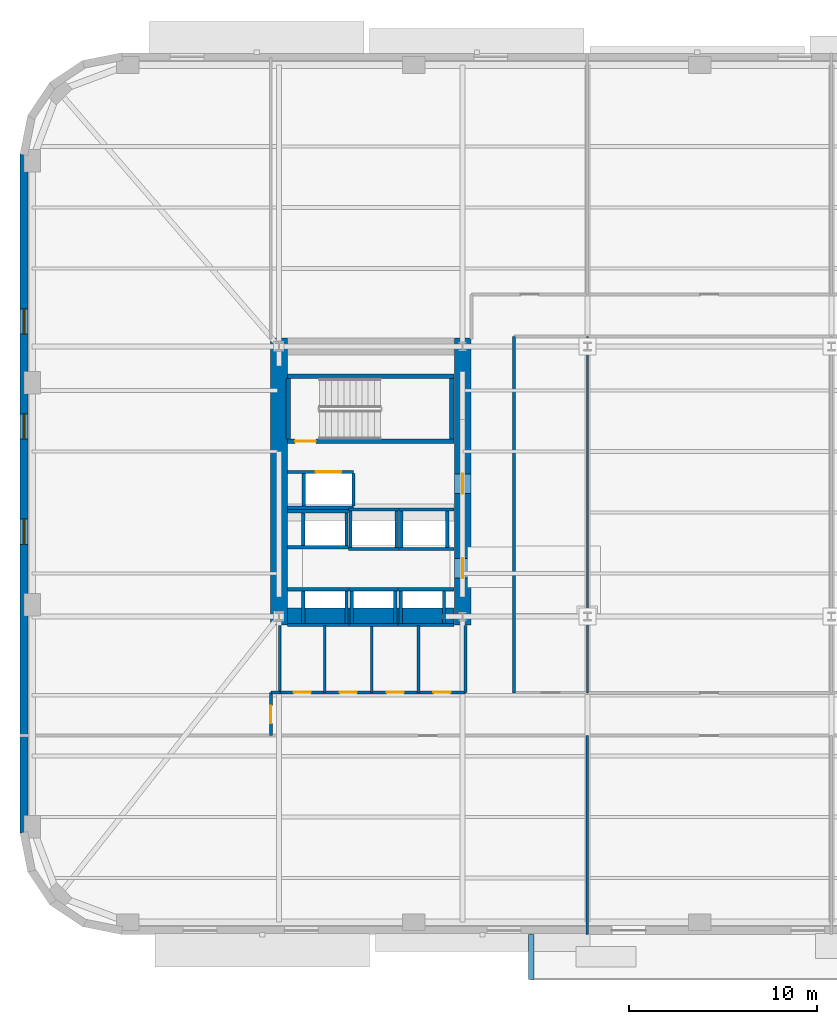
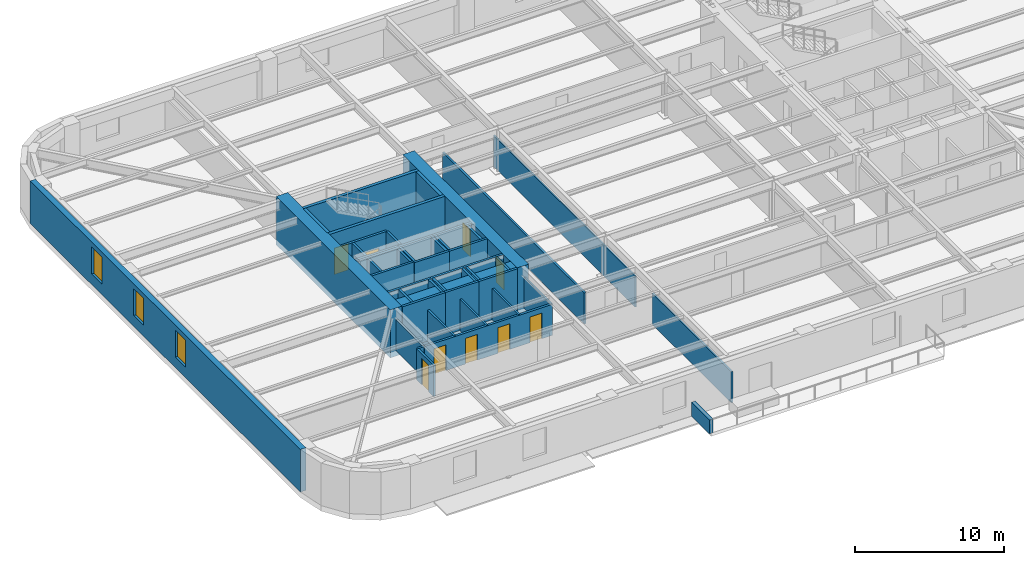
# One storey, part 4 of 15: 48 walls, 9 doors, 3 windows, 12 openings.
"""IFC4 building model written with IfcOpenShell, lengths in metres."""

from ifc_helpers import new_model, si_unit, direction, frame, frame_2d, origin, place, context, subcontext, project, spatial, rectangle, extrude, material, layer, layer_set, type_object, element, fill, save


model = new_model("IFC4")

# Units and contexts
model_context = context("Model", 3, precision=1e-05, world=origin(), true_north=direction((0.0, 1.0)))
body_context = subcontext(model_context, "Body", "Model", "MODEL_VIEW")
ifc_project = project(units=[si_unit("LENGTHUNIT", "METRE"), si_unit("AREAUNIT", "SQUARE_METRE"), si_unit("VOLUMEUNIT", "CUBIC_METRE"), si_unit("PLANEANGLEUNIT", "RADIAN"), si_unit("MASSUNIT", "GRAM", prefix="KILO")], contexts=[model_context])

# Site, building, storey
site_placement = place(None, origin())
site = spatial("IfcSite", under=ifc_project, at=site_placement, CompositionType="ELEMENT")
building_placement = place(site_placement, origin())
building = spatial("IfcBuilding", under=site, at=building_placement, Name="Kolvaren Arena Tower", CompositionType="ELEMENT")
storey_placement = place(building_placement, frame((0.0, 0.0, 42.0)))
storey = spatial("IfcBuildingStorey", under=building, at=storey_placement, Name="L07", CompositionType="ELEMENT", Elevation=42.0)

# Wall
ifc_material_1 = material(Name="Gypsum board acoustic assembly", Category="gypsum")
ifc_layer_1 = layer(ifc_material_1, 0.159912109375)
ifc_layer_set_1 = layer_set([ifc_layer_1], Name="Gypsum board acoustic assembly")
wall_type_1 = type_object("IfcWallType", Name="CORR-160", PredefinedType="PARTITIONING", material=ifc_layer_set_1)
wall_1_placement = place(storey_placement, frame((27.080078125, 15.3798828125, 0.0), z_axis=(0.0, 0.0, 1.0), x_axis=(0.0, 1.0, 0.0)))
element("IfcWall", 1, at=wall_1_placement, inside=storey, type_object=wall_type_1, Name="Interior Partition Wall (L07)", PredefinedType="PARTITIONING", context=body_context, shape_type="SweptSolid", body=[
    extrude(rectangle(XDim=19.0, YDim=0.159912109375, at=frame_2d((9.5, 0.0))), origin(), (0.0, 0.0, 1.0), 2.5400390625),
])

# Wall, opening, door
wall_2_placement = place(storey_placement, frame((14.1201171875, 13.10009765625, 0.0), z_axis=(0.0, 0.0, 1.0), x_axis=(0.0, 1.0, 0.0)))
wall_2 = element("IfcWall", 2, at=wall_2_placement, inside=storey, type_object=wall_type_1, Name="Interior Partition Wall (L07)", PredefinedType="PARTITIONING", context=body_context, shape_type="SweptSolid", body=[
    extrude(rectangle(XDim=2.2998046875, YDim=0.159912109375, at=frame_2d((1.14990234375, 0.0))), origin(), (0.0, 0.0, 1.0), 2.5400390625),
])
opening_1_placement = place(wall_2_placement, frame((0.64990234375, 0.0, 0.0)))
opening_1 = element("IfcOpeningElement", 3, at=opening_1_placement, cuts=wall_2, Name="Opening D05", PredefinedType="OPENING", context=body_context, shape_type="SweptSolid", body=[
    extrude(rectangle(XDim=0.949951171875, YDim=2.14990234375, at=frame_2d((0.47509765625, 1.074951171875))), frame((0.0, 0.08984375, 0.0), z_axis=(0.0, -1.0, 0.0), x_axis=(1.0, 0.0, 0.0)), (0.0, 0.0, 1.0), 0.179931640625),
])
ifc_material_2 = material(Name="Solid-core oak acoustic office door", Category="wood")
door_type_1 = type_object("IfcDoorType", Name="DOOR-OF-095", OperationType="NOTDEFINED", PredefinedType="DOOR", material=ifc_material_2)
door_1_placement = place(opening_1_placement, origin())
door_1 = element("IfcDoor", 4, at=door_1_placement, inside=storey, type_object=door_type_1, Name="West Wing Office Door (L07)", OperationType="SINGLE_SWING_LEFT", OverallHeight=2.14990234375, OverallWidth=0.949951171875, PredefinedType="DOOR", context=body_context, shape_type="SweptSolid", body=[
    extrude(rectangle(XDim=0.949951171875, YDim=2.14990234375, at=frame_2d((0.47509765625, 1.074951171875))), frame((0.0, 0.02490234375, 0.0), z_axis=(0.0, -1.0, 0.0), x_axis=(1.0, 0.0, 0.0)), (0.0, 0.0, 1.0), 0.050048828125),
])
fill(opening_1, door_1)

# Walls
wall_3_placement = place(storey_placement, frame((14.1201171875, 15.39990234375, 0.0), z_axis=(0.0, 0.0, 1.0), x_axis=(1.0, 0.0, 0.0)))
element("IfcWall", 5, at=wall_3_placement, inside=storey, type_object=wall_type_1, Name="Interior Partition Wall (L07)", PredefinedType="PARTITIONING", context=body_context, shape_type="SweptSolid", body=[
    extrude(rectangle(XDim=0.5, YDim=0.159912109375, at=frame_2d((0.25, 0.0))), origin(), (0.0, 0.0, 1.0), 2.5400390625),
])
ifc_material_3 = material(Name="Concrete 80 MPa", Category="concrete")
ifc_layer_2 = layer(ifc_material_3, 0.89990234375)
ifc_layer_set_2 = layer_set([ifc_layer_2], Name="Concrete 80 MPa")
wall_type_2 = type_object("IfcWallType", Name="CWALL-900", PredefinedType="SHEAR", material=ifc_layer_set_2)
wall_4_placement = place(storey_placement, frame((14.550048828125, 19.0, -0.449951171875), z_axis=(0.0, 0.0, 1.0), x_axis=(0.0, 1.0, 0.0)))
element("IfcWall", 6, at=wall_4_placement, inside=storey, type_object=wall_type_2, Name="Core Shear Wall WC-WEST (L07)", PredefinedType="SHEAR", context=body_context, shape_type="SweptSolid", body=[
    extrude(rectangle(XDim=15.300048828125, YDim=0.89990234375, at=frame_2d((7.64990234375, 0.0))), origin(), (0.0, 0.0, 1.0), 3.929931640625),
])

# Wall, openings, doors
wall_5_placement = place(storey_placement, frame((24.35009765625, 19.0, -0.449951171875), z_axis=(0.0, 0.0, 1.0), x_axis=(0.0, 1.0, 0.0)))
wall_5 = element("IfcWall", 7, at=wall_5_placement, inside=storey, type_object=wall_type_2, Name="Core Shear Wall WC-EAST (L07)", PredefinedType="SHEAR", context=body_context, shape_type="SweptSolid", body=[
    extrude(rectangle(XDim=15.300048828125, YDim=0.89990234375, at=frame_2d((7.64990234375, 0.0))), origin(), (0.0, 0.0, 1.0), 3.929931640625),
])
opening_2_placement = place(wall_5_placement, frame((2.5, 0.0, 0.449951171875)))
opening_2 = element("IfcOpeningElement", 8, at=opening_2_placement, cuts=wall_5, Name="Opening D04", PredefinedType="OPENING", context=body_context, shape_type="SweptSolid", body=[
    extrude(rectangle(XDim=1.050048828125, YDim=2.14990234375, at=frame_2d((0.52490234375, 1.074951171875))), frame((0.0, 0.4599609375, 0.0), z_axis=(0.0, -1.0, 0.0), x_axis=(1.0, 0.0, 0.0)), (0.0, 0.0, 1.0), 0.919921875),
])
opening_3_placement = place(wall_5_placement, frame((7.0, 0.0, 0.449951171875)))
opening_3 = element("IfcOpeningElement", 9, at=opening_3_placement, cuts=wall_5, Name="Opening D04", PredefinedType="OPENING", context=body_context, shape_type="SweptSolid", body=[
    extrude(rectangle(XDim=1.050048828125, YDim=2.14990234375, at=frame_2d((0.52490234375, 1.074951171875))), frame((0.0, 0.4599609375, 0.0), z_axis=(0.0, -1.0, 0.0), x_axis=(1.0, 0.0, 0.0)), (0.0, 0.0, 1.0), 0.919921875),
])
ifc_material_4 = material(Name="Fire-rated steel lobby door", Category="steel")
door_type_2 = type_object("IfcDoorType", Name="DOOR-FF-105", OperationType="NOTDEFINED", PredefinedType="DOOR", material=ifc_material_4)
door_2_placement = place(opening_2_placement, origin())
door_2 = element("IfcDoor", 10, at=door_2_placement, inside=storey, type_object=door_type_2, Name="West Lift Lobby Fire Door (L07)", OperationType="SINGLE_SWING_LEFT", OverallHeight=2.14990234375, OverallWidth=1.050048828125, PredefinedType="DOOR", context=body_context, shape_type="SweptSolid", body=[
    extrude(rectangle(XDim=1.050048828125, YDim=2.14990234375, at=frame_2d((0.52490234375, 1.074951171875))), frame((0.0, 0.02490234375, 0.0), z_axis=(0.0, -1.0, 0.0), x_axis=(1.0, 0.0, 0.0)), (0.0, 0.0, 1.0), 0.050048828125),
])
fill(opening_2, door_2)
door_3_placement = place(opening_3_placement, origin())
door_3 = element("IfcDoor", 11, at=door_3_placement, inside=storey, type_object=door_type_2, Name="West Firefighter Vestibule Door (L07)", OperationType="SINGLE_SWING_RIGHT", OverallHeight=2.14990234375, OverallWidth=1.050048828125, PredefinedType="DOOR", context=body_context, shape_type="SweptSolid", body=[
    extrude(rectangle(XDim=1.050048828125, YDim=2.14990234375, at=frame_2d((0.52490234375, 1.074951171875))), frame((0.0, 0.02490234375, 0.0), z_axis=(0.0, -1.0, 0.0), x_axis=(1.0, 0.0, 0.0)), (0.0, 0.0, 1.0), 0.050048828125),
])
fill(opening_3, door_3)

# Wall
wall_6_placement = place(storey_placement, frame((15.0, 19.449951171875, -0.449951171875), z_axis=(0.0, 0.0, 1.0), x_axis=(1.0, 0.0, 0.0)))
element("IfcWall", 12, at=wall_6_placement, inside=storey, type_object=wall_type_2, Name="Core Shear Wall WC-SOUTH (L07)", PredefinedType="SHEAR", context=body_context, shape_type="SweptSolid", body=[
    extrude(rectangle(XDim=8.89990234375, YDim=0.89990234375, at=frame_2d((4.449951171875, 0.0))), origin(), (0.0, 0.0, 1.0), 3.929931640625),
])

# Wall, openings, windows
ifc_material_5 = material(Name="Precast concrete C50/60", Category="concrete")
ifc_layer_3 = layer(ifc_material_5, 0.419921875)
ifc_layer_set_3 = layer_set([ifc_layer_3], Name="Precast concrete C50/60")
wall_type_3 = type_object("IfcWallType", Name="EXT-PIER1", PredefinedType="SOLIDWALL", material=ifc_layer_set_3)
wall_7_placement = place(storey_placement, frame((0.9599609375, 7.89990234375, 0.0), z_axis=(0.0, 0.0, 1.0), x_axis=(0.0, 1.0, 0.0)))
wall_7 = element("IfcWall", 13, at=wall_7_placement, inside=storey, type_object=wall_type_3, Name="Exterior Precast Masonry-Frame Wall (L07)", PredefinedType="SOLIDWALL", context=body_context, shape_type="SweptSolid", body=[
    extrude(rectangle(XDim=36.2001953125, YDim=0.419921875, at=frame_2d((18.10009765625, 0.0))), origin(), (0.0, 0.0, 1.0), 3.47998046875),
])
opening_4_placement = place(wall_7_placement, frame((15.39990234375, 0.0, 0.8798828125)))
opening_4 = element("IfcOpeningElement", 14, at=opening_4_placement, cuts=wall_7, Name="Opening W04", PredefinedType="OPENING", context=body_context, shape_type="SweptSolid", body=[
    extrude(rectangle(XDim=1.35009765625, YDim=2.199951171875, at=frame_2d((0.675048828125, 1.10009765625))), frame((0.0, 0.219970703125, 0.0), z_axis=(0.0, -1.0, 0.0), x_axis=(1.0, 0.0, 0.0)), (0.0, 0.0, 1.0), 0.43994140625),
])
opening_5_placement = place(wall_7_placement, frame((21.0, 0.0, 0.8798828125)))
opening_5 = element("IfcOpeningElement", 15, at=opening_5_placement, cuts=wall_7, Name="Opening W04", PredefinedType="OPENING", context=body_context, shape_type="SweptSolid", body=[
    extrude(rectangle(XDim=1.35009765625, YDim=2.199951171875, at=frame_2d((0.675048828125, 1.10009765625))), frame((0.0, 0.219970703125, 0.0), z_axis=(0.0, -1.0, 0.0), x_axis=(1.0, 0.0, 0.0)), (0.0, 0.0, 1.0), 0.43994140625),
])
opening_6_placement = place(wall_7_placement, frame((26.60009765625, 0.0, 0.8798828125)))
opening_6 = element("IfcOpeningElement", 16, at=opening_6_placement, cuts=wall_7, Name="Opening W04", PredefinedType="OPENING", context=body_context, shape_type="SweptSolid", body=[
    extrude(rectangle(XDim=1.35009765625, YDim=2.199951171875, at=frame_2d((0.675048828125, 1.10009765625))), frame((0.0, 0.219970703125, 0.0), z_axis=(0.0, -1.0, 0.0), x_axis=(1.0, 0.0, 0.0)), (0.0, 0.0, 1.0), 0.43994140625),
])
ifc_material_6 = material(Name="Triple-glazed curved-facet corner window", Category="glass")
window_type = type_object("IfcWindowType", Name="WIN-CRN-A", PartitioningType="SINGLE_PANEL", PredefinedType="WINDOW", material=ifc_material_6)
window_1_placement = place(opening_4_placement, origin())
window_1 = element("IfcWindow", 17, at=window_1_placement, inside=storey, type_object=window_type, Name="End-Wall Punched Window (L07)", OverallHeight=2.199951171875, OverallWidth=1.35009765625, PartitioningType="SINGLE_PANEL", PredefinedType="WINDOW", context=body_context, shape_type="SweptSolid", body=[
    extrude(rectangle(XDim=1.35009765625, YDim=2.199951171875, at=frame_2d((0.675048828125, 1.10009765625))), frame((0.0, 0.030029296875, 0.0), z_axis=(0.0, -1.0, 0.0), x_axis=(1.0, 0.0, 0.0)), (0.0, 0.0, 1.0), 0.06005859375),
])
fill(opening_4, window_1)
window_2_placement = place(opening_5_placement, origin())
window_2 = element("IfcWindow", 18, at=window_2_placement, inside=storey, type_object=window_type, Name="End-Wall Punched Window (L07)", OverallHeight=2.199951171875, OverallWidth=1.35009765625, PartitioningType="SINGLE_PANEL", PredefinedType="WINDOW", context=body_context, shape_type="SweptSolid", body=[
    extrude(rectangle(XDim=1.35009765625, YDim=2.199951171875, at=frame_2d((0.675048828125, 1.10009765625))), frame((0.0, 0.030029296875, 0.0), z_axis=(0.0, -1.0, 0.0), x_axis=(1.0, 0.0, 0.0)), (0.0, 0.0, 1.0), 0.06005859375),
])
fill(opening_5, window_2)
window_3_placement = place(opening_6_placement, origin())
window_3 = element("IfcWindow", 19, at=window_3_placement, inside=storey, type_object=window_type, Name="End-Wall Punched Window (L07)", OverallHeight=2.199951171875, OverallWidth=1.35009765625, PartitioningType="SINGLE_PANEL", PredefinedType="WINDOW", context=body_context, shape_type="SweptSolid", body=[
    extrude(rectangle(XDim=1.35009765625, YDim=2.199951171875, at=frame_2d((0.675048828125, 1.10009765625))), frame((0.0, 0.030029296875, 0.0), z_axis=(0.0, -1.0, 0.0), x_axis=(1.0, 0.0, 0.0)), (0.0, 0.0, 1.0), 0.06005859375),
])
fill(opening_6, window_3)

# Walls
ifc_material_7 = material(Name="Precast concrete C45/55", Category="concrete")
ifc_layer_4 = layer(ifc_material_7, 0.300048828125)
ifc_layer_set_4 = layer_set([ifc_layer_4], Name="Precast concrete C45/55")
wall_type_4 = type_object("IfcWallType", Name="PARAP-300", PredefinedType="PARAPET", material=ifc_layer_set_4)
wall_8_placement = place(storey_placement, frame((28.0, 2.5, 0.0), z_axis=(0.0, 0.0, 1.0), x_axis=(0.0, -1.0, 0.0)))
element("IfcWall", 20, at=wall_8_placement, inside=storey, type_object=wall_type_4, Name="Terrace Side Parapet Wall (L07)", PredefinedType="PARAPET", context=body_context, shape_type="SweptSolid", body=[
    extrude(rectangle(XDim=2.39990234375, YDim=0.300048828125, at=frame_2d((1.199951171875, 0.0))), origin(), (0.0, 0.0, 1.0), 1.1201171875),
])
ifc_material_8 = material(Name="Gypsum board partition assembly", Category="gypsum")
ifc_layer_5 = layer(ifc_material_8, 0.114990234375)
ifc_layer_set_5 = layer_set([ifc_layer_5], Name="Gypsum board partition assembly")
wall_type_5 = type_object("IfcWallType", Name="PART-115", PredefinedType="PARTITIONING", material=ifc_layer_set_5)
wall_9_placement = place(storey_placement, frame((31.0, 15.3798828125, 0.0), z_axis=(0.0, 0.0, 1.0), x_axis=(0.0, 1.0, 0.0)))
element("IfcWall", 21, at=wall_9_placement, inside=storey, type_object=wall_type_5, Name="Interior Partition Wall (L07)", PredefinedType="PARTITIONING", context=body_context, shape_type="SweptSolid", body=[
    extrude(rectangle(XDim=19.0, YDim=0.114990234375, at=frame_2d((9.5, 0.0))), origin(), (0.0, 0.0, 1.0), 2.5400390625),
])
ifc_layer_6 = layer(ifc_material_8, 0.135009765625)
ifc_layer_set_6 = layer_set([ifc_layer_6], Name="Gypsum board partition assembly")
wall_type_6 = type_object("IfcWallType", Name="PART-135", PredefinedType="PARTITIONING", material=ifc_layer_set_6)
wall_10_placement = place(storey_placement, frame((31.0, 2.5, 0.0), z_axis=(0.0, 0.0, 1.0), x_axis=(0.0, 1.0, 0.0)))
element("IfcWall", 22, at=wall_10_placement, inside=storey, type_object=wall_type_6, Name="Interior Partition Wall (L07)", PredefinedType="PARTITIONING", context=body_context, shape_type="SweptSolid", body=[
    extrude(rectangle(XDim=10.60009765625, YDim=0.135009765625, at=frame_2d((5.300048828125, 0.0))), origin(), (0.0, 0.0, 1.0), 2.5400390625),
])

# Wall, opening, door
ifc_material_9 = material(Name="Concrete 45 MPa", Category="concrete")
ifc_layer_7 = layer(ifc_material_9, 0.25)
ifc_layer_set_7 = layer_set([ifc_layer_7], Name="Concrete 45 MPa")
wall_type_7 = type_object("IfcWallType", Name="SHAFT-250", PredefinedType="SOLIDWALL", material=ifc_layer_set_7)
wall_11_placement = place(storey_placement, frame((23.89990234375, 28.780029296875, 0.0), z_axis=(0.0, 0.0, 1.0), x_axis=(-1.0, 0.0, 0.0)))
wall_11 = element("IfcWall", 23, at=wall_11_placement, inside=storey, type_object=wall_type_7, Name="Core Shaft Wall (L07)", PredefinedType="SOLIDWALL", context=body_context, shape_type="SweptSolid", body=[
    extrude(rectangle(XDim=8.89990234375, YDim=0.239990234375, at=frame_2d((4.449951171875, 0.0))), origin(), (0.0, 0.0, 1.0), 3.47998046875),
])
opening_7_placement = place(wall_11_placement, frame((7.3798828125, 0.0, 0.0)))
opening_7 = element("IfcOpeningElement", 24, at=opening_7_placement, cuts=wall_11, Name="Opening D03", PredefinedType="OPENING", context=body_context, shape_type="SweptSolid", body=[
    extrude(rectangle(XDim=1.10009765625, YDim=2.14990234375, at=frame_2d((0.550048828125, 1.074951171875))), frame((0.0, 0.1298828125, 0.0), z_axis=(0.0, -1.0, 0.0), x_axis=(1.0, 0.0, 0.0)), (0.0, 0.0, 1.0), 0.260009765625),
])
ifc_material_10 = material(Name="Fire-rated steel exit stair door", Category="steel")
door_type_3 = type_object("IfcDoorType", Name="DOOR-ST-110", OperationType="NOTDEFINED", PredefinedType="DOOR", material=ifc_material_10)
door_4_placement = place(opening_7_placement, origin())
door_4 = element("IfcDoor", 25, at=door_4_placement, inside=storey, type_object=door_type_3, Name="Stair ST-W1 Fire Door (L07)", OperationType="SINGLE_SWING_RIGHT", OverallHeight=2.14990234375, OverallWidth=1.10009765625, PredefinedType="DOOR", context=body_context, shape_type="SweptSolid", body=[
    extrude(rectangle(XDim=1.10009765625, YDim=2.14990234375, at=frame_2d((0.550048828125, 1.074951171875))), frame((0.0, 0.02490234375, 0.0), z_axis=(0.0, -1.0, 0.0), x_axis=(1.0, 0.0, 0.0)), (0.0, 0.0, 1.0), 0.050048828125),
])
fill(opening_7, door_4)

# Walls
wall_12_placement = place(storey_placement, frame((15.0, 32.25, 0.0), z_axis=(0.0, 0.0, 1.0), x_axis=(1.0, 0.0, 0.0)))
element("IfcWall", 26, at=wall_12_placement, inside=storey, type_object=wall_type_7, Name="Core Shaft Wall (L07)", PredefinedType="SOLIDWALL", context=body_context, shape_type="SweptSolid", body=[
    extrude(rectangle(XDim=8.89990234375, YDim=0.239990234375, at=frame_2d((4.449951171875, 0.0))), origin(), (0.0, 0.0, 1.0), 3.47998046875),
])
for number, where, z_axis, x_axis, name in (
    (27, (15.06005859375, 28.89990234375, 0.0), (0.0, 0.0, 1.0), (0.0, 1.0, 0.0), "Core Shaft Wall (L07)"),
    (28, (23.780029296875, 28.89990234375, 0.0), (0.0, 0.0, 1.0), (0.0, 1.0, 0.0), "Core Shaft Wall (L07)"),
):
    element("IfcWall", number, at=place(storey_placement, frame(where, z_axis=z_axis, x_axis=x_axis)), inside=storey, type_object=wall_type_7, Name=name, PredefinedType="SOLIDWALL", context=body_context, shape_type="SweptSolid", body=[
        extrude(rectangle(XDim=3.22998046875, YDim=0.239990234375, at=frame_2d((1.614990234375, 0.0))), origin(), (0.0, 0.0, 1.0), 3.47998046875),
    ])
for number, where, z_axis, x_axis, name in (
    (29, (15.0, 20.905029296875, 0.0), (0.0, 0.0, 1.0), (1.0, 0.0, 0.0), "Core Shaft Wall (L07)"),
    (30, (15.0, 18.9951171875, 0.0), (0.0, 0.0, 1.0), (1.0, 0.0, 0.0), "Core Shaft Wall (L07)"),
):
    element("IfcWall", number, at=place(storey_placement, frame(where, z_axis=z_axis, x_axis=x_axis)), inside=storey, type_object=wall_type_7, Name=name, PredefinedType="SOLIDWALL", context=body_context, shape_type="SweptSolid", body=[
        extrude(rectangle(XDim=3.300048828125, YDim=0.179931640625, at=frame_2d((1.64990234375, 0.0))), origin(), (0.0, 0.0, 1.0), 3.47998046875),
    ])
for number, where, z_axis, x_axis, name in (
    (31, (15.844970703125, 19.0849609375, 0.0), (0.0, 0.0, 1.0), (0.0, 1.0, 0.0), "Core Shaft Wall (L07)"),
    (32, (18.155029296875, 19.0849609375, 0.0), (0.0, 0.0, 1.0), (0.0, 1.0, 0.0), "Core Shaft Wall (L07)"),
):
    element("IfcWall", number, at=place(storey_placement, frame(where, z_axis=z_axis, x_axis=x_axis)), inside=storey, type_object=wall_type_7, Name=name, PredefinedType="SOLIDWALL", context=body_context, shape_type="SweptSolid", body=[
        extrude(rectangle(XDim=1.72998046875, YDim=0.179931640625, at=frame_2d((0.864990234375, 0.0))), origin(), (0.0, 0.0, 1.0), 3.47998046875),
    ])
for number, where, z_axis, x_axis, name in (
    (33, (18.300048828125, 20.905029296875, 0.0), (0.0, 0.0, 1.0), (1.0, 0.0, 0.0), "Core Shaft Wall (L07)"),
    (34, (18.300048828125, 18.9951171875, 0.0), (0.0, 0.0, 1.0), (1.0, 0.0, 0.0), "Core Shaft Wall (L07)"),
):
    element("IfcWall", number, at=place(storey_placement, frame(where, z_axis=z_axis, x_axis=x_axis)), inside=storey, type_object=wall_type_7, Name=name, PredefinedType="SOLIDWALL", context=body_context, shape_type="SweptSolid", body=[
        extrude(rectangle(XDim=2.599853515625, YDim=0.179931640625, at=frame_2d((1.2998046875, 0.0))), origin(), (0.0, 0.0, 1.0), 3.47998046875),
    ])
for number, where, z_axis, x_axis, name in (
    (35, (18.445068359375, 19.0849609375, 0.0), (0.0, 0.0, 1.0), (0.0, 1.0, 0.0), "Core Shaft Wall (L07)"),
    (36, (20.7548828125, 19.0849609375, 0.0), (0.0, 0.0, 1.0), (0.0, 1.0, 0.0), "Core Shaft Wall (L07)"),
):
    element("IfcWall", number, at=place(storey_placement, frame(where, z_axis=z_axis, x_axis=x_axis)), inside=storey, type_object=wall_type_7, Name=name, PredefinedType="SOLIDWALL", context=body_context, shape_type="SweptSolid", body=[
        extrude(rectangle(XDim=1.72998046875, YDim=0.179931640625, at=frame_2d((0.864990234375, 0.0))), origin(), (0.0, 0.0, 1.0), 3.47998046875),
    ])
for number, where, z_axis, x_axis, name in (
    (37, (20.89990234375, 20.905029296875, 0.0), (0.0, 0.0, 1.0), (1.0, 0.0, 0.0), "Core Shaft Wall (L07)"),
    (38, (20.89990234375, 18.9951171875, 0.0), (0.0, 0.0, 1.0), (1.0, 0.0, 0.0), "Core Shaft Wall (L07)"),
):
    element("IfcWall", number, at=place(storey_placement, frame(where, z_axis=z_axis, x_axis=x_axis)), inside=storey, type_object=wall_type_7, Name=name, PredefinedType="SOLIDWALL", context=body_context, shape_type="SweptSolid", body=[
        extrude(rectangle(XDim=3.0, YDim=0.179931640625, at=frame_2d((1.5, 0.0))), origin(), (0.0, 0.0, 1.0), 3.47998046875),
    ])
for number, where, z_axis, x_axis, name in (
    (39, (21.044921875, 19.0849609375, 0.0), (0.0, 0.0, 1.0), (0.0, 1.0, 0.0), "Core Shaft Wall (L07)"),
    (40, (23.35498046875, 19.0849609375, 0.0), (0.0, 0.0, 1.0), (0.0, 1.0, 0.0), "Core Shaft Wall (L07)"),
):
    element("IfcWall", number, at=place(storey_placement, frame(where, z_axis=z_axis, x_axis=x_axis)), inside=storey, type_object=wall_type_7, Name=name, PredefinedType="SOLIDWALL", context=body_context, shape_type="SweptSolid", body=[
        extrude(rectangle(XDim=1.72998046875, YDim=0.179931640625, at=frame_2d((0.864990234375, 0.0))), origin(), (0.0, 0.0, 1.0), 3.47998046875),
    ])
for number, where, z_axis, x_axis, name in (
    (41, (15.0, 25.054931640625, 0.0), (0.0, 0.0, 1.0), (1.0, 0.0, 0.0), "Core Shaft Wall (L07)"),
    (42, (15.0, 23.14501953125, 0.0), (0.0, 0.0, 1.0), (1.0, 0.0, 0.0), "Core Shaft Wall (L07)"),
):
    element("IfcWall", number, at=place(storey_placement, frame(where, z_axis=z_axis, x_axis=x_axis)), inside=storey, type_object=wall_type_7, Name=name, PredefinedType="SOLIDWALL", context=body_context, shape_type="SweptSolid", body=[
        extrude(rectangle(XDim=3.262451171875, YDim=0.179931640625, at=frame_2d((1.63134765625, 0.0))), origin(), (0.0, 0.0, 1.0), 3.47998046875),
    ])
for number, where, z_axis, x_axis, name in (
    (43, (15.844970703125, 23.235107421875, 0.0), (0.0, 0.0, 1.0), (0.0, 1.0, 0.0), "Core Shaft Wall (L07)"),
    (44, (18.155029296875, 23.235107421875, 0.0), (0.0, 0.0, 1.0), (0.0, 1.0, 0.0), "Core Shaft Wall (L07)"),
):
    element("IfcWall", number, at=place(storey_placement, frame(where, z_axis=z_axis, x_axis=x_axis)), inside=storey, type_object=wall_type_7, Name=name, PredefinedType="SOLIDWALL", context=body_context, shape_type="SweptSolid", body=[
        extrude(rectangle(XDim=1.72998046875, YDim=0.179931640625, at=frame_2d((0.864990234375, 0.0))), origin(), (0.0, 0.0, 1.0), 3.47998046875),
    ])
for number, where, z_axis, x_axis, name in (
    (45, (18.262451171875, 25.155029296875, 0.0), (0.0, 0.0, 1.0), (1.0, 0.0, 0.0), "Core Shaft Wall (L07)"),
    (46, (18.262451171875, 23.044921875, 0.0), (0.0, 0.0, 1.0), (1.0, 0.0, 0.0), "Core Shaft Wall (L07)"),
):
    element("IfcWall", number, at=place(storey_placement, frame(where, z_axis=z_axis, x_axis=x_axis)), inside=storey, type_object=wall_type_7, Name=name, PredefinedType="SOLIDWALL", context=body_context, shape_type="SweptSolid", body=[
        extrude(rectangle(XDim=2.6875, YDim=0.179931640625, at=frame_2d((1.34375, 0.0))), origin(), (0.0, 0.0, 1.0), 3.47998046875),
    ])
for number, where, z_axis, x_axis, name in (
    (47, (18.3701171875, 23.135009765625, 0.0), (0.0, 0.0, 1.0), (0.0, 1.0, 0.0), "Core Shaft Wall (L07)"),
    (48, (20.830078125, 23.135009765625, 0.0), (0.0, 0.0, 1.0), (0.0, 1.0, 0.0), "Core Shaft Wall (L07)"),
):
    element("IfcWall", number, at=place(storey_placement, frame(where, z_axis=z_axis, x_axis=x_axis)), inside=storey, type_object=wall_type_7, Name=name, PredefinedType="SOLIDWALL", context=body_context, shape_type="SweptSolid", body=[
        extrude(rectangle(XDim=1.929931640625, YDim=0.179931640625, at=frame_2d((0.96484375, 0.0))), origin(), (0.0, 0.0, 1.0), 3.47998046875),
    ])
for number, where, z_axis, x_axis, name in (
    (49, (20.949951171875, 25.155029296875, 0.0), (0.0, 0.0, 1.0), (1.0, 0.0, 0.0), "Core Shaft Wall (L07)"),
    (50, (20.949951171875, 23.044921875, 0.0), (0.0, 0.0, 1.0), (1.0, 0.0, 0.0), "Core Shaft Wall (L07)"),
):
    element("IfcWall", number, at=place(storey_placement, frame(where, z_axis=z_axis, x_axis=x_axis)), inside=storey, type_object=wall_type_7, Name=name, PredefinedType="SOLIDWALL", context=body_context, shape_type="SweptSolid", body=[
        extrude(rectangle(XDim=2.949951171875, YDim=0.179931640625, at=frame_2d((1.47509765625, 0.0))), origin(), (0.0, 0.0, 1.0), 3.47998046875),
    ])
for number, where, z_axis, x_axis, name in (
    (51, (21.070068359375, 23.135009765625, 0.0), (0.0, 0.0, 1.0), (0.0, 1.0, 0.0), "Core Shaft Wall (L07)"),
    (52, (23.530029296875, 23.135009765625, 0.0), (0.0, 0.0, 1.0), (0.0, 1.0, 0.0), "Core Shaft Wall (L07)"),
):
    element("IfcWall", number, at=place(storey_placement, frame(where, z_axis=z_axis, x_axis=x_axis)), inside=storey, type_object=wall_type_7, Name=name, PredefinedType="SOLIDWALL", context=body_context, shape_type="SweptSolid", body=[
        extrude(rectangle(XDim=1.929931640625, YDim=0.179931640625, at=frame_2d((0.96484375, 0.0))), origin(), (0.0, 0.0, 1.0), 3.47998046875),
    ])

# Wall, opening, door
wall_13_placement = place(storey_placement, frame((15.0, 27.155029296875, 0.0), z_axis=(0.0, 0.0, 1.0), x_axis=(1.0, 0.0, 0.0)))
wall_13 = element("IfcWall", 53, at=wall_13_placement, inside=storey, type_object=wall_type_7, Name="Core Shaft Wall (L07)", PredefinedType="SOLIDWALL", context=body_context, shape_type="SweptSolid", body=[
    extrude(rectangle(XDim=3.530029296875, YDim=0.179931640625, at=frame_2d((1.76513671875, 0.0))), origin(), (0.0, 0.0, 1.0), 3.47998046875),
])
opening_8_placement = place(wall_13_placement, frame((1.52490234375, 0.0, 0.0)))
opening_8 = element("IfcOpeningElement", 54, at=opening_8_placement, cuts=wall_13, Name="Opening LD2", PredefinedType="OPENING", context=body_context, shape_type="SweptSolid", body=[
    extrude(rectangle(XDim=1.35009765625, YDim=2.300048828125, at=frame_2d((0.675048828125, 1.14990234375))), frame((0.0, 0.099853515625, 0.0), z_axis=(0.0, -1.0, 0.0), x_axis=(1.0, 0.0, 0.0)), (0.0, 0.0, 1.0), 0.199951171875),
])
ifc_material_11 = material(Name="Stainless steel firefighter lift landing door", Category="steel")
door_type_4 = type_object("IfcDoorType", Name="DOOR-LD-135", OperationType="DOUBLE_DOOR_SLIDING", PredefinedType="DOOR", material=ifc_material_11)
door_5_placement = place(opening_8_placement, origin())
door_5 = element("IfcDoor", 55, at=door_5_placement, inside=storey, type_object=door_type_4, Name="Firefighter Lift FF-W1 Landing Door (L07)", OperationType="DOUBLE_DOOR_SLIDING", OverallHeight=2.300048828125, OverallWidth=1.35009765625, PredefinedType="DOOR", context=body_context, shape_type="SweptSolid", body=[
    extrude(rectangle(XDim=1.35009765625, YDim=2.300048828125, at=frame_2d((0.675048828125, 1.14990234375))), frame((0.0, 0.02490234375, 0.0), z_axis=(0.0, -1.0, 0.0), x_axis=(1.0, 0.0, 0.0)), (0.0, 0.0, 1.0), 0.050048828125),
])
fill(opening_8, door_5)

# Walls
wall_14_placement = place(storey_placement, frame((15.0, 25.2451171875, 0.0), z_axis=(0.0, 0.0, 1.0), x_axis=(1.0, 0.0, 0.0)))
element("IfcWall", 56, at=wall_14_placement, inside=storey, type_object=wall_type_7, Name="Core Shaft Wall (L07)", PredefinedType="SOLIDWALL", context=body_context, shape_type="SweptSolid", body=[
    extrude(rectangle(XDim=3.530029296875, YDim=0.179931640625, at=frame_2d((1.76513671875, 0.0))), origin(), (0.0, 0.0, 1.0), 3.47998046875),
])
for number, where, z_axis, x_axis, name in (
    (57, (15.8701171875, 25.3349609375, 0.0), (0.0, 0.0, 1.0), (0.0, 1.0, 0.0), "Core Shaft Wall (L07)"),
    (58, (18.530029296875, 25.3349609375, 0.0), (0.0, 0.0, 1.0), (0.0, 1.0, 0.0), "Core Shaft Wall (L07)"),
):
    element("IfcWall", number, at=place(storey_placement, frame(where, z_axis=z_axis, x_axis=x_axis)), inside=storey, type_object=wall_type_7, Name=name, PredefinedType="SOLIDWALL", context=body_context, shape_type="SweptSolid", body=[
        extrude(rectangle(XDim=1.72998046875, YDim=0.179931640625, at=frame_2d((0.864990234375, 0.0))), origin(), (0.0, 0.0, 1.0), 3.47998046875),
    ])
ifc_material_12 = material(Name="Moisture-resistant gypsum assembly", Category="gypsum")
ifc_layer_8 = layer(ifc_material_12, 0.14990234375)
ifc_layer_set_8 = layer_set([ifc_layer_8], Name="Moisture-resistant gypsum assembly")
wall_type_8 = type_object("IfcWallType", Name="WETW-150", PredefinedType="PARTITIONING", material=ifc_layer_set_8)
for number, where, z_axis, x_axis, name in (
    (59, (17.0, 15.39990234375, 0.0), (0.0, 0.0, 1.0), (0.0, 1.0, 0.0), "Interior Partition Wall (L07)"),
    (60, (19.5, 15.39990234375, 0.0), (0.0, 0.0, 1.0), (0.0, 1.0, 0.0), "Interior Partition Wall (L07)"),
    (61, (22.0, 15.39990234375, 0.0), (0.0, 0.0, 1.0), (0.0, 1.0, 0.0), "Interior Partition Wall (L07)"),
):
    element("IfcWall", number, at=place(storey_placement, frame(where, z_axis=z_axis, x_axis=x_axis)), inside=storey, type_object=wall_type_8, Name=name, PredefinedType="PARTITIONING", context=body_context, shape_type="SweptSolid", body=[
        extrude(rectangle(XDim=3.580078125, YDim=0.14990234375, at=frame_2d((1.7900390625, 0.0))), origin(), (0.0, 0.0, 1.0), 2.5400390625),
    ])

# Wall, openings, doors
wall_15_placement = place(storey_placement, frame((14.60009765625, 15.39990234375, 0.0), z_axis=(0.0, 0.0, 1.0), x_axis=(1.0, 0.0, 0.0)))
wall_15 = element("IfcWall", 62, at=wall_15_placement, inside=storey, type_object=wall_type_8, Name="Interior Partition Wall (L07)", PredefinedType="PARTITIONING", context=body_context, shape_type="SweptSolid", body=[
    extrude(rectangle(XDim=9.89990234375, YDim=0.179931640625, at=frame_2d((4.949951171875, 0.0))), origin(), (0.0, 0.0, 1.0), 2.5400390625),
])
opening_9_placement = place(wall_15_placement, frame((0.739990234375, 0.0, 0.0)))
opening_9 = element("IfcOpeningElement", 63, at=opening_9_placement, cuts=wall_15, Name="Opening D07", PredefinedType="OPENING", context=body_context, shape_type="SweptSolid", body=[
    extrude(rectangle(XDim=0.919921875, YDim=2.10009765625, at=frame_2d((0.4599609375, 1.050048828125))), frame((0.0, 0.099853515625, 0.0), z_axis=(0.0, -1.0, 0.0), x_axis=(1.0, 0.0, 0.0)), (0.0, 0.0, 1.0), 0.199951171875),
])
opening_10_placement = place(wall_15_placement, frame((3.18994140625, 0.0, 0.0)))
opening_10 = element("IfcOpeningElement", 64, at=opening_10_placement, cuts=wall_15, Name="Opening D07", PredefinedType="OPENING", context=body_context, shape_type="SweptSolid", body=[
    extrude(rectangle(XDim=0.919921875, YDim=2.10009765625, at=frame_2d((0.4599609375, 1.050048828125))), frame((0.0, 0.099853515625, 0.0), z_axis=(0.0, -1.0, 0.0), x_axis=(1.0, 0.0, 0.0)), (0.0, 0.0, 1.0), 0.199951171875),
])
opening_11_placement = place(wall_15_placement, frame((5.68994140625, 0.0, 0.0)))
opening_11 = element("IfcOpeningElement", 65, at=opening_11_placement, cuts=wall_15, Name="Opening D07", PredefinedType="OPENING", context=body_context, shape_type="SweptSolid", body=[
    extrude(rectangle(XDim=0.919921875, YDim=2.10009765625, at=frame_2d((0.4599609375, 1.050048828125))), frame((0.0, 0.099853515625, 0.0), z_axis=(0.0, -1.0, 0.0), x_axis=(1.0, 0.0, 0.0)), (0.0, 0.0, 1.0), 0.199951171875),
])
opening_12_placement = place(wall_15_placement, frame((8.18994140625, 0.0, 0.0)))
opening_12 = element("IfcOpeningElement", 66, at=opening_12_placement, cuts=wall_15, Name="Opening D07", PredefinedType="OPENING", context=body_context, shape_type="SweptSolid", body=[
    extrude(rectangle(XDim=0.919921875, YDim=2.10009765625, at=frame_2d((0.4599609375, 1.050048828125))), frame((0.0, 0.099853515625, 0.0), z_axis=(0.0, -1.0, 0.0), x_axis=(1.0, 0.0, 0.0)), (0.0, 0.0, 1.0), 0.199951171875),
])
ifc_material_13 = material(Name="Laminate universal washroom door", Category="wood")
door_type_5 = type_object("IfcDoorType", Name="DOOR-WC-092", OperationType="NOTDEFINED", PredefinedType="DOOR", material=ifc_material_13)
door_6_placement = place(opening_9_placement, origin())
door_6 = element("IfcDoor", 67, at=door_6_placement, inside=storey, type_object=door_type_5, Name="Cleaner and Janitor Store Door (L07)", OperationType="SINGLE_SWING_LEFT", OverallHeight=2.10009765625, OverallWidth=0.919921875, PredefinedType="DOOR", context=body_context, shape_type="SweptSolid", body=[
    extrude(rectangle(XDim=0.919921875, YDim=2.10009765625, at=frame_2d((0.4599609375, 1.050048828125))), frame((0.0, 0.02490234375, 0.0), z_axis=(0.0, -1.0, 0.0), x_axis=(1.0, 0.0, 0.0)), (0.0, 0.0, 1.0), 0.050048828125),
])
fill(opening_9, door_6)
door_7_placement = place(opening_10_placement, origin())
door_7 = element("IfcDoor", 68, at=door_7_placement, inside=storey, type_object=door_type_5, Name="Universal Barrier-Free Washroom Door (L07)", OperationType="SINGLE_SWING_RIGHT", OverallHeight=2.10009765625, OverallWidth=0.919921875, PredefinedType="DOOR", context=body_context, shape_type="SweptSolid", body=[
    extrude(rectangle(XDim=0.919921875, YDim=2.10009765625, at=frame_2d((0.4599609375, 1.050048828125))), frame((0.0, 0.02490234375, 0.0), z_axis=(0.0, -1.0, 0.0), x_axis=(1.0, 0.0, 0.0)), (0.0, 0.0, 1.0), 0.050048828125),
])
fill(opening_10, door_7)
door_8_placement = place(opening_11_placement, origin())
door_8 = element("IfcDoor", 69, at=door_8_placement, inside=storey, type_object=door_type_5, Name="Women Restroom Door (L07)", OperationType="SINGLE_SWING_LEFT", OverallHeight=2.10009765625, OverallWidth=0.919921875, PredefinedType="DOOR", context=body_context, shape_type="SweptSolid", body=[
    extrude(rectangle(XDim=0.919921875, YDim=2.10009765625, at=frame_2d((0.4599609375, 1.050048828125))), frame((0.0, 0.02490234375, 0.0), z_axis=(0.0, -1.0, 0.0), x_axis=(1.0, 0.0, 0.0)), (0.0, 0.0, 1.0), 0.050048828125),
])
fill(opening_11, door_8)
door_9_placement = place(opening_12_placement, origin())
door_9 = element("IfcDoor", 70, at=door_9_placement, inside=storey, type_object=door_type_5, Name="Men Restroom Door (L07)", OperationType="SINGLE_SWING_RIGHT", OverallHeight=2.10009765625, OverallWidth=0.919921875, PredefinedType="DOOR", context=body_context, shape_type="SweptSolid", body=[
    extrude(rectangle(XDim=0.919921875, YDim=2.10009765625, at=frame_2d((0.4599609375, 1.050048828125))), frame((0.0, 0.02490234375, 0.0), z_axis=(0.0, -1.0, 0.0), x_axis=(1.0, 0.0, 0.0)), (0.0, 0.0, 1.0), 0.050048828125),
])
fill(opening_12, door_9)

# Walls
for number, where, z_axis, x_axis, name in (
    (71, (14.60009765625, 15.39990234375, 0.0), (0.0, 0.0, 1.0), (0.0, 1.0, 0.0), "Interior Partition Wall (L07)"),
    (72, (24.5, 15.39990234375, 0.0), (0.0, 0.0, 1.0), (0.0, 1.0, 0.0), "Interior Partition Wall (L07)"),
):
    element("IfcWall", number, at=place(storey_placement, frame(where, z_axis=z_axis, x_axis=x_axis)), inside=storey, type_object=wall_type_8, Name=name, PredefinedType="PARTITIONING", context=body_context, shape_type="SweptSolid", body=[
        extrude(rectangle(XDim=3.580078125, YDim=0.14990234375, at=frame_2d((1.7900390625, 0.0))), origin(), (0.0, 0.0, 1.0), 2.5400390625),
    ])

save(model, "model.ifc")
